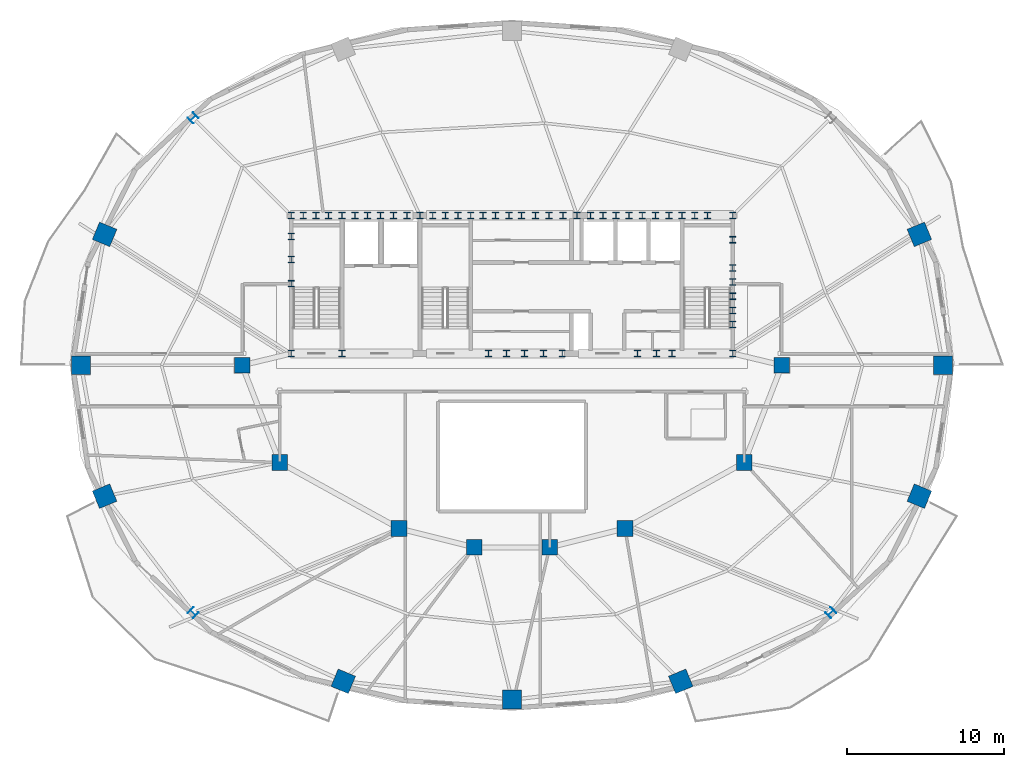
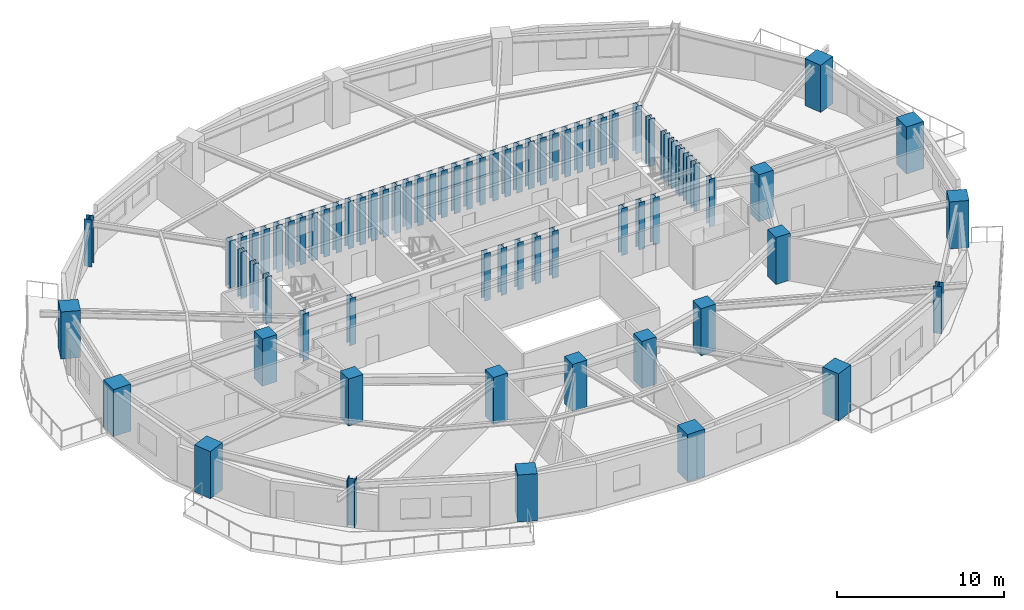
# One storey, part 1 of 11: 74 columns.
"""IFC4 building model written with IfcOpenShell, lengths in metres."""

import ifcopenshell
import ifcopenshell.guid

model = None  # the IFC model being written
_history = None  # IfcOwnerHistory: only IFC2X3 demands one
_inside = {}  # id of a spatial element -> (the spatial element, [elements in it])
_under = {}  # id of a project, library or spatial element -> (it, [spatial elements below it])
_declared = {}  # id of a project -> (the project, [libraries it declares])
_typed = {}  # id of a type object -> (the type object, [elements of that type])
_made_of = {}  # id of a material, layer set ... -> (it, [elements and type objects made of it])


def new_model(schema):
    """Start an empty IFC model of exactly this schema.

    Asked for "IFC4X3", IfcOpenShell would pick the latest addendum, in which some entities
    have other attributes; the version numbers below select the first issue.
    IFC2X3 requires an IfcOwnerHistory on every rooted entity: one is made here for all.
    """
    global model, _history
    if schema == "IFC4X3":
        model = ifcopenshell.file(schema_version=(4, 3, 0, 0))
    else:
        model = ifcopenshell.file(schema=schema)
    _inside.clear()
    _under.clear()
    _declared.clear()
    _typed.clear()
    _made_of.clear()
    _history = None
    if model.schema == "IFC2X3":
        org = make("IfcOrganization", Name="unknown")
        user = make(
            "IfcPersonAndOrganization",
            ThePerson=make("IfcPerson", FamilyName="unknown"),
            TheOrganization=org,
        )
        app = make(
            "IfcApplication",
            ApplicationDeveloper=org,
            Version="unknown",
            ApplicationFullName="unknown",
            ApplicationIdentifier="unknown",
        )
        _history = make(
            "IfcOwnerHistory",
            OwningUser=user,
            OwningApplication=app,
            ChangeAction="ADDED",
            CreationDate=0,
        )
    return model


def make(cls, **values):
    """One entity of the class cls with the attributes given. An attribute that is None is left unset."""
    return model.create_entity(
        cls, **{name: value for name, value in values.items() if value is not None}
    )


def rooted(cls, **values):
    """An entity with a GlobalId (a new one), such as an element, a storey or a relation."""
    return make(cls, GlobalId=ifcopenshell.guid.new(), OwnerHistory=_history, **values)


def si_unit(unit_type, name, prefix=None):
    """IfcSIUnit, for example si_unit("LENGTHUNIT", "METRE", prefix="MILLI")."""
    return make("IfcSIUnit", UnitType=unit_type, Prefix=prefix, Name=name)


def assignment(units):
    """IfcUnitAssignment: the units of a project."""
    return None if units is None else make("IfcUnitAssignment", Units=units)


def point(xyz):
    """IfcCartesianPoint."""
    return None if xyz is None else make("IfcCartesianPoint", Coordinates=xyz)


def direction(xyz):
    """IfcDirection."""
    return None if xyz is None else make("IfcDirection", DirectionRatios=xyz)


def frame(location, z_axis=None, x_axis=None):
    """IfcAxis2Placement3D, a coordinate frame: its origin and axes. An axis left out is left unset."""
    return make(
        "IfcAxis2Placement3D",
        Location=point(location),
        Axis=direction(z_axis),
        RefDirection=direction(x_axis),
    )


def frame_2d(location, x_axis=None):
    """IfcAxis2Placement2D, a coordinate frame in the plane: its origin and x axis."""
    return make(
        "IfcAxis2Placement2D", Location=point(location), RefDirection=direction(x_axis)
    )


def origin():
    """The frame at (0, 0, 0) with its axes left unset."""
    return frame((0.0, 0.0, 0.0))


def origin_2d():
    """The frame at (0, 0) in the plane with its x axis left unset."""
    return frame_2d((0.0, 0.0))


def place(relative_to, where):
    """IfcLocalPlacement: puts the frame where relative to a parent placement (None: the world)."""
    return make(
        "IfcLocalPlacement", PlacementRelTo=relative_to, RelativePlacement=where
    )


def context(
    kind, dimensions, precision=None, world=None, true_north=None, identifier=None
):
    """IfcGeometricRepresentationContext, for example the 3D "Model" context."""
    return make(
        "IfcGeometricRepresentationContext",
        ContextIdentifier=identifier,
        ContextType=kind,
        CoordinateSpaceDimension=dimensions,
        Precision=precision,
        WorldCoordinateSystem=world,
        TrueNorth=true_north,
    )


def subcontext(parent, identifier, kind, view, scale=None):
    """IfcGeometricRepresentationSubContext, for example "Body" below "Model"."""
    return make(
        "IfcGeometricRepresentationSubContext",
        ContextIdentifier=identifier,
        ContextType=kind,
        ParentContext=parent,
        TargetScale=scale,
        TargetView=view,
    )


def project(units=None, contexts=None):
    """IfcProject with its units and contexts."""
    return rooted(
        "IfcProject",
        Name="project",
        RepresentationContexts=contexts,
        UnitsInContext=assignment(units),
    )


def spatial(cls, under=None, at=None, **own):
    """A site, building, storey or space (cls), placed at a placement, below another one or the project."""
    s = rooted(cls, ObjectPlacement=at, **own)
    if under is not None:
        _under.setdefault(under.id(), (under, []))[1].append(s)
    return s


def profile(cls, at=None, kind="AREA", **sizes):
    """A parametric profile (cls). Its sizes go by their IFC names, for example OverallWidth=200.0."""
    return make(cls, ProfileType=kind, Position=at, **sizes)


def rectangle(**sizes):
    """IfcRectangleProfileDef."""
    return profile("IfcRectangleProfileDef", **sizes)


def i_section(**sizes):
    """IfcIShapeProfileDef."""
    return profile("IfcIShapeProfileDef", **sizes)


def extrude(swept, where, along, depth):
    """IfcExtrudedAreaSolid: the profile swept, set in the frame where, extruded along a direction by depth."""
    return make(
        "IfcExtrudedAreaSolid",
        SweptArea=swept,
        Position=where,
        ExtrudedDirection=direction(along),
        Depth=depth,
    )


def shape(context_of_items, identifier, shape_type, items):
    """IfcShapeRepresentation: the items that make up one representation, for example the "Body"."""
    return make(
        "IfcShapeRepresentation",
        ContextOfItems=context_of_items,
        RepresentationIdentifier=identifier,
        RepresentationType=shape_type,
        Items=items,
    )


def material(Name=None, Category=None):
    """IfcMaterial."""
    return make("IfcMaterial", Name=Name, Category=Category)


def material_profile(
    of_material, cross_section, Name=None, Category=None, Priority=None
):
    """IfcMaterialProfile: a cross section and its material."""
    return make(
        "IfcMaterialProfile",
        Name=Name,
        Material=of_material,
        Profile=cross_section,
        Priority=Priority,
        Category=Category,
    )


def profile_set(profiles, Name=None, composite=None):
    """IfcMaterialProfileSet."""
    return make(
        "IfcMaterialProfileSet",
        Name=Name,
        MaterialProfiles=profiles,
        CompositeProfile=composite,
    )


def made_of(thing, what):
    """Note that an element or type object is made of a material, layer set ...; save() writes the relation."""
    if what is not None:
        _made_of.setdefault(what.id(), (what, []))[1].append(thing)
    return thing


def type_object(cls, material=None, **own):
    """A type object (cls), such as IfcWallType, which elements share."""
    return made_of(rooted(cls, **own), material)


def element(
    cls,
    number,
    at=None,
    inside=None,
    cuts=None,
    type_object=None,
    material=None,
    context=None,
    identifier="Body",
    shape_type=None,
    held_by="IfcProductDefinitionShape",
    body=None,
    shapes=None,
    **own,
):
    """One element of the class cls, such as IfcWall. Its Tag is "e" and its number.

    at: its placement. inside: the storey or other place that contains it. cuts: it is an
    opening in that element (IfcRelVoidsElement). A single representation is given by context,
    identifier, shape_type and body (its items); several are given by shapes. held_by: the class
    of the entity that holds the representations. save() writes the other relations.
    """
    e = rooted(cls, Tag="e%d" % number, ObjectPlacement=at, **own)
    if body is not None:
        shapes = [shape(context, identifier, shape_type, body)]
    if shapes is not None:
        e.Representation = make(held_by, Representations=shapes)
    if inside is not None:
        _inside.setdefault(inside.id(), (inside, []))[1].append(e)
    if cuts is not None:
        rooted(
            "IfcRelVoidsElement", RelatingBuildingElement=cuts, RelatedOpeningElement=e
        )
    if type_object is not None:
        _typed.setdefault(type_object.id(), (type_object, []))[1].append(e)
    return made_of(e, material)


def aggregate(whole, parts):
    """IfcRelAggregates: a whole, such as a stair, and the parts it consists of."""
    return rooted("IfcRelAggregates", RelatingObject=whole, RelatedObjects=parts)


def save(model, path):
    """Write the relations noted so far, then the file.

    IfcRelAggregates (storeys below a building ...), IfcRelContainedInSpatialStructure (elements
    in a storey), IfcRelDefinesByType, IfcRelAssociatesMaterial and IfcRelDeclares: one each for
    every whole, place, type object, material and project.
    """
    for whole, parts in _under.values():
        aggregate(whole, parts)
    for where, things in _inside.values():
        rooted(
            "IfcRelContainedInSpatialStructure",
            RelatedElements=things,
            RelatingStructure=where,
        )
    for kind, things in _typed.values():
        rooted("IfcRelDefinesByType", RelatedObjects=things, RelatingType=kind)
    for what, things in _made_of.values():
        rooted("IfcRelAssociatesMaterial", RelatedObjects=things, RelatingMaterial=what)
    for by, libraries in _declared.values():
        rooted("IfcRelDeclares", RelatingContext=by, RelatedDefinitions=libraries)
    model.write(path)


model = new_model("IFC4")

# Units and contexts
model_context = context("Model", 3, precision=1e-05, world=origin(), true_north=direction((0.0, 1.0)))
body_context = subcontext(model_context, "Body", "Model", "MODEL_VIEW")
ifc_project = project(units=[si_unit("LENGTHUNIT", "METRE"), si_unit("AREAUNIT", "SQUARE_METRE"), si_unit("VOLUMEUNIT", "CUBIC_METRE"), si_unit("PLANEANGLEUNIT", "RADIAN"), si_unit("MASSUNIT", "GRAM", prefix="KILO")], contexts=[model_context])

# Site, building, storey
site_placement = place(None, origin())
site = spatial("IfcSite", under=ifc_project, at=site_placement, CompositionType="ELEMENT")
building_placement = place(site_placement, origin())
building = spatial("IfcBuilding", under=site, at=building_placement, Name="Haldorwick Loom Tower", CompositionType="ELEMENT")
storey_placement = place(building_placement, frame((0.0, 0.0, 211.75)))
storey = spatial("IfcBuildingStorey", under=building, at=storey_placement, Name="L57", CompositionType="ELEMENT", Elevation=211.75)

# Columns
ifc_material_1 = material(Name="Concrete C60 (60 MPa)", Category="concrete")
ifc_material_profile_1 = material_profile(ifc_material_1, rectangle(XDim=1.0, YDim=1.0, at=origin_2d()), Name="RC1000X1000", Category="concrete")
ifc_profile_set_1 = profile_set([ifc_material_profile_1], Name="Concrete C60 (60 MPa)")
column_type_1 = type_object("IfcColumnType", Name="STR-COL-RC1000", PredefinedType="COLUMN", material=ifc_profile_set_1)
for number, where, z_axis, x_axis, name in (
    (1, (53.199951171875, 26.0, 0.0), (0.0, 0.0, 1.0), (1.0, 0.0, 0.0), "L57 Inner Column IC-01"),
    (2, (50.800048828125, 19.800048828125, 0.0), (0.0, 0.0, 1.0), (1.0, 0.0, 0.0), "L57 Inner Column IC-02"),
    (3, (43.199951171875, 15.60009765625, 0.0), (0.0, 0.0, 1.0), (1.0, 0.0, 0.0), "L57 Inner Column IC-03"),
    (4, (38.39990234375, 14.39990234375, 0.0), (0.0, 0.0, 1.0), (1.0, 0.0, 0.0), "L57 Inner Column IC-04"),
    (5, (33.60009765625, 14.39990234375, 0.0), (0.0, 0.0, 1.0), (1.0, 0.0, 0.0), "L57 Inner Column IC-05"),
    (6, (28.800048828125, 15.60009765625, 0.0), (0.0, 0.0, 1.0), (1.0, 0.0, 0.0), "L57 Inner Column IC-06"),
    (7, (21.199951171875, 19.800048828125, 0.0), (0.0, 0.0, 1.0), (1.0, 0.0, 0.0), "L57 Inner Column IC-07"),
    (8, (18.800048828125, 26.0, 0.0), (0.0, 0.0, 1.0), (1.0, 0.0, 0.0), "L57 Inner Column IC-08"),
):
    element("IfcColumn", number, at=place(storey_placement, frame(where, z_axis=z_axis, x_axis=x_axis)), inside=storey, type_object=column_type_1, Name=name, PredefinedType="COLUMN", context=body_context, shape_type="SweptSolid", body=[
        extrude(rectangle(XDim=1.0, YDim=1.0, at=origin_2d()), origin(), (0.0, 0.0, 1.0), 3.449951171875),
    ])
ifc_material_profile_2 = material_profile(ifc_material_1, rectangle(XDim=1.199951171875, YDim=1.199951171875, at=origin_2d()), Name="RC1200X1200", Category="concrete")
ifc_profile_set_2 = profile_set([ifc_material_profile_2], Name="Concrete C60 (60 MPa)")
column_type_2 = type_object("IfcColumnType", Name="STR-COL-RC1200", PredefinedType="COLUMN", material=ifc_profile_set_2)
for number, where, z_axis, x_axis, name in (
    (9, (63.46630859375, 26.0, 0.0), (0.0, 0.0, 1.0), (1.0, 0.0, 0.0), "L57 Perimeter Pier Column P01"),
    (10, (61.9609375, 34.342529296875, 0.0), (0.0, 0.0, 1.0), (0.923879532511, 0.382683432365, 0.0), "L57 Perimeter Pier Column P02"),
    (11, (10.0390625, 34.342529296875, 0.0), (0.0, 0.0, 1.0), (-0.923879532511, 0.382683432365, 0.0), "L57 Perimeter Pier Column P08"),
    (12, (8.53369140625, 26.0, 0.0), (0.0, 0.0, 1.0), (-1.0, 0.0, 0.0), "L57 Perimeter Pier Column P09"),
    (13, (10.0390625, 17.657470703125, 0.0), (0.0, 0.0, 1.0), (-0.923879532511, -0.382683432365, 0.0), "L57 Perimeter Pier Column P10"),
    (14, (25.24658203125, 5.859375, 0.0), (0.0, 0.0, 1.0), (-0.382683432365, -0.923879532511, 0.0), "L57 Perimeter Pier Column P12"),
    (15, (36.0, 4.695068359375, 0.0), (0.0, 0.0, 1.0), (0.0, -1.0, 0.0), "L57 Perimeter Pier Column P13"),
    (16, (46.75341796875, 5.859375, 0.0), (0.0, 0.0, 1.0), (0.382683432365, -0.923879532511, 0.0), "L57 Perimeter Pier Column P14"),
    (17, (61.9609375, 17.657470703125, 0.0), (0.0, 0.0, 1.0), (0.923879532511, -0.382683432365, 0.0), "L57 Perimeter Pier Column P16"),
):
    element("IfcColumn", number, at=place(storey_placement, frame(where, z_axis=z_axis, x_axis=x_axis)), inside=storey, type_object=column_type_2, Name=name, PredefinedType="COLUMN", context=body_context, shape_type="SweptSolid", body=[
        extrude(rectangle(XDim=1.199951171875, YDim=1.199951171875, at=origin_2d()), origin(), (0.0, 0.0, 1.0), 3.449951171875),
    ])
ifc_material_2 = material(Name="Steel CSA G40.21 350W", Category="steel")
ifc_material_profile_3 = material_profile(ifc_material_2, i_section(OverallWidth=0.406005859375, OverallDepth=0.416015625, WebThickness=0.024169921875, FlangeThickness=0.03857421875, at=origin_2d()), Name="W360X382", Category="steel")
ifc_profile_set_3 = profile_set([ifc_material_profile_3], Name="Steel CSA G40.21 350W")
column_type_3 = type_object("IfcColumnType", Name="STR-COL-W360X382", PredefinedType="COLUMN", material=ifc_profile_set_3)
for number, where, z_axis, x_axis, name in (
    (18, (21.929931640625, 35.550048828125, 0.0), (0.0, 0.0, 1.0), (1.0, 0.0, 0.0), "L57 Core Pilaster CB-01"),
    (19, (23.5, 35.550048828125, 0.0), (0.0, 0.0, 1.0), (1.0, 0.0, 0.0), "L57 Core Pilaster CB-02"),
    (20, (25.169921875, 35.550048828125, 0.0), (0.0, 0.0, 1.0), (1.0, 0.0, 0.0), "L57 Core Pilaster CB-03"),
    (21, (26.800048828125, 35.550048828125, 0.0), (0.0, 0.0, 1.0), (1.0, 0.0, 0.0), "L57 Core Pilaster CB-04"),
    (22, (28.449951171875, 35.550048828125, 0.0), (0.0, 0.0, 1.0), (1.0, 0.0, 0.0), "L57 Core Pilaster CB-05"),
    (23, (30.1298828125, 35.550048828125, 0.0), (0.0, 0.0, 1.0), (1.0, 0.0, 0.0), "L57 Core Pilaster CB-06"),
    (24, (31.75, 35.550048828125, 0.0), (0.0, 0.0, 1.0), (1.0, 0.0, 0.0), "L57 Core Pilaster CB-07"),
    (25, (33.3701171875, 35.550048828125, 0.0), (0.0, 0.0, 1.0), (1.0, 0.0, 0.0), "L57 Core Pilaster CB-08"),
    (26, (34.949951171875, 35.550048828125, 0.0), (0.0, 0.0, 1.0), (1.0, 0.0, 0.0), "L57 Core Pilaster CB-09"),
    (27, (36.60009765625, 35.550048828125, 0.0), (0.0, 0.0, 1.0), (1.0, 0.0, 0.0), "L57 Core Pilaster CB-10"),
    (28, (38.35009765625, 35.550048828125, 0.0), (0.0, 0.0, 1.0), (1.0, 0.0, 0.0), "L57 Core Pilaster CB-11"),
    (29, (40.14990234375, 35.550048828125, 0.0), (0.0, 0.0, 1.0), (1.0, 0.0, 0.0), "L57 Core Pilaster CB-12"),
    (30, (41.800048828125, 35.550048828125, 0.0), (0.0, 0.0, 1.0), (1.0, 0.0, 0.0), "L57 Core Pilaster CB-13"),
    (31, (43.449951171875, 35.550048828125, 0.0), (0.0, 0.0, 1.0), (1.0, 0.0, 0.0), "L57 Core Pilaster CB-14"),
    (32, (45.14990234375, 35.550048828125, 0.0), (0.0, 0.0, 1.0), (1.0, 0.0, 0.0), "L57 Core Pilaster CB-15"),
    (33, (46.830078125, 35.550048828125, 0.0), (0.0, 0.0, 1.0), (1.0, 0.0, 0.0), "L57 Core Pilaster CB-16"),
    (34, (48.449951171875, 35.550048828125, 0.0), (0.0, 0.0, 1.0), (1.0, 0.0, 0.0), "L57 Core Pilaster CB-17"),
    (35, (50.070068359375, 35.550048828125, 0.0), (0.0, 0.0, 1.0), (1.0, 0.0, 0.0), "L57 Core Pilaster CB-18"),
    (36, (21.929931640625, 26.75, 0.0), (0.0, 0.0, 1.0), (1.0, 0.0, 0.0), "L57 Core Pilaster CB-19"),
    (37, (25.169921875, 26.75, 0.0), (0.0, 0.0, 1.0), (1.0, 0.0, 0.0), "L57 Core Pilaster CB-20"),
    (38, (34.5, 26.75, 0.0), (0.0, 0.0, 1.0), (1.0, 0.0, 0.0), "L57 Core Pilaster CB-21"),
    (39, (36.800048828125, 26.75, 0.0), (0.0, 0.0, 1.0), (1.0, 0.0, 0.0), "L57 Core Pilaster CB-22"),
    (40, (39.199951171875, 26.75, 0.0), (0.0, 0.0, 1.0), (1.0, 0.0, 0.0), "L57 Core Pilaster CB-23"),
    (41, (45.199951171875, 26.75, 0.0), (0.0, 0.0, 1.0), (1.0, 0.0, 0.0), "L57 Core Pilaster CB-24"),
    (42, (50.070068359375, 26.75, 0.0), (0.0, 0.0, 1.0), (1.0, 0.0, 0.0), "L57 Core Pilaster CB-25"),
    (43, (21.929931640625, 31.199951171875, 0.0), (0.0, 0.0, 1.0), (1.0, 0.0, 0.0), "L57 Core Pilaster CB-26"),
    (44, (21.929931640625, 32.75, 0.0), (0.0, 0.0, 1.0), (1.0, 0.0, 0.0), "L57 Core Pilaster CB-27"),
    (45, (21.929931640625, 34.199951171875, 0.0), (0.0, 0.0, 1.0), (1.0, 0.0, 0.0), "L57 Core Pilaster CB-28"),
    (46, (50.070068359375, 28.60009765625, 0.0), (0.0, 0.0, 1.0), (1.0, 0.0, 0.0), "L57 Core Pilaster CB-29"),
    (47, (50.070068359375, 30.39990234375, 0.0), (0.0, 0.0, 1.0), (1.0, 0.0, 0.0), "L57 Core Pilaster CB-30"),
    (48, (50.070068359375, 32.199951171875, 0.0), (0.0, 0.0, 1.0), (1.0, 0.0, 0.0), "L57 Core Pilaster CB-31"),
    (49, (50.070068359375, 34.0, 0.0), (0.0, 0.0, 1.0), (1.0, 0.0, 0.0), "L57 Core Pilaster CB-32"),
    (50, (22.699951171875, 35.550048828125, 0.0), (0.0, 0.0, 1.0), (1.0, 0.0, 0.0), "L57 Core Pilaster CB-33"),
    (51, (27.6201171875, 35.550048828125, 0.0), (0.0, 0.0, 1.0), (1.0, 0.0, 0.0), "L57 Core Pilaster CB-34"),
    (52, (32.550048828125, 35.550048828125, 0.0), (0.0, 0.0, 1.0), (1.0, 0.0, 0.0), "L57 Core Pilaster CB-35"),
    (53, (37.5, 35.550048828125, 0.0), (0.0, 0.0, 1.0), (1.0, 0.0, 0.0), "L57 Core Pilaster CB-36"),
    (54, (42.6201171875, 35.550048828125, 0.0), (0.0, 0.0, 1.0), (1.0, 0.0, 0.0), "L57 Core Pilaster CB-37"),
    (55, (47.64990234375, 35.550048828125, 0.0), (0.0, 0.0, 1.0), (1.0, 0.0, 0.0), "L57 Core Pilaster CB-38"),
    (56, (24.300048828125, 35.550048828125, 0.0), (0.0, 0.0, 1.0), (1.0, 0.0, 0.0), "L57 Core Pilaster CB-39"),
    (57, (26.0, 35.550048828125, 0.0), (0.0, 0.0, 1.0), (1.0, 0.0, 0.0), "L57 Core Pilaster CB-40"),
    (58, (29.300048828125, 35.550048828125, 0.0), (0.0, 0.0, 1.0), (1.0, 0.0, 0.0), "L57 Core Pilaster CB-41"),
    (59, (30.949951171875, 35.550048828125, 0.0), (0.0, 0.0, 1.0), (1.0, 0.0, 0.0), "L57 Core Pilaster CB-42"),
    (60, (34.14990234375, 35.550048828125, 0.0), (0.0, 0.0, 1.0), (1.0, 0.0, 0.0), "L57 Core Pilaster CB-43"),
    (61, (35.800048828125, 35.550048828125, 0.0), (0.0, 0.0, 1.0), (1.0, 0.0, 0.0), "L57 Core Pilaster CB-44"),
    (62, (39.25, 35.550048828125, 0.0), (0.0, 0.0, 1.0), (1.0, 0.0, 0.0), "L57 Core Pilaster CB-45"),
    (63, (41.0, 35.550048828125, 0.0), (0.0, 0.0, 1.0), (1.0, 0.0, 0.0), "L57 Core Pilaster CB-46"),
    (64, (44.300048828125, 35.550048828125, 0.0), (0.0, 0.0, 1.0), (1.0, 0.0, 0.0), "L57 Core Pilaster CB-47"),
    (65, (46.0, 35.550048828125, 0.0), (0.0, 0.0, 1.0), (1.0, 0.0, 0.0), "L57 Core Pilaster CB-48"),
    (66, (50.070068359375, 29.5, 0.0), (0.0, 0.0, 1.0), (1.0, 0.0, 0.0), "L57 Core Pilaster CB-49"),
    (67, (50.070068359375, 31.300048828125, 0.0), (0.0, 0.0, 1.0), (1.0, 0.0, 0.0), "L57 Core Pilaster CB-50"),
    (68, (35.64990234375, 26.75, 0.0), (0.0, 0.0, 1.0), (1.0, 0.0, 0.0), "L57 Core Pilaster CB-51"),
    (69, (38.0, 26.75, 0.0), (0.0, 0.0, 1.0), (1.0, 0.0, 0.0), "L57 Core Pilaster CB-52"),
    (70, (44.0, 26.75, 0.0), (0.0, 0.0, 1.0), (1.0, 0.0, 0.0), "L57 Core Pilaster CB-53"),
    (71, (46.199951171875, 26.75, 0.0), (0.0, 0.0, 1.0), (1.0, 0.0, 0.0), "L57 Core Pilaster CB-54"),
):
    element("IfcColumn", number, at=place(storey_placement, frame(where, z_axis=z_axis, x_axis=x_axis)), inside=storey, type_object=column_type_3, Name=name, PredefinedType="COLUMN", context=body_context, shape_type="SweptSolid", body=[
        extrude(i_section(OverallWidth=0.406005859375, OverallDepth=0.416015625, WebThickness=0.024169921875, FlangeThickness=0.03857421875, at=origin_2d()), origin(), (0.0, 0.0, 1.0), 3.449951171875),
    ])
ifc_material_3 = material(Name="Steel CSA G40.21 350WT", Category="steel")
ifc_material_profile_4 = material_profile(ifc_material_3, i_section(OverallWidth=0.5, OverallDepth=0.5, WebThickness=0.02197265625, FlangeThickness=0.031982421875, at=origin_2d()), Name="WWF500X500", Category="steel")
ifc_profile_set_4 = profile_set([ifc_material_profile_4], Name="Steel CSA G40.21 350WT")
column_type_4 = type_object("IfcColumnType", Name="STR-COL-WWF500", PredefinedType="COLUMN", material=ifc_profile_set_4)
for number, where, z_axis, x_axis, name in (
    (72, (15.682373046875, 41.764892578125, 0.0), (0.0, 0.0, 1.0), (-0.707106781187, 0.707106781187, 0.0), "L57 Perimeter Pier Column P07"),
    (73, (15.682373046875, 10.235107421875, 0.0), (0.0, 0.0, 1.0), (-0.707106781187, -0.707106781187, 0.0), "L57 Perimeter Pier Column P11"),
    (74, (56.317626953125, 10.235107421875, 0.0), (0.0, 0.0, 1.0), (0.707106781187, -0.707106781187, 0.0), "L57 Perimeter Pier Column P15"),
):
    element("IfcColumn", number, at=place(storey_placement, frame(where, z_axis=z_axis, x_axis=x_axis)), inside=storey, type_object=column_type_4, Name=name, PredefinedType="COLUMN", context=body_context, shape_type="SweptSolid", body=[
        extrude(i_section(OverallWidth=0.5, OverallDepth=0.5, WebThickness=0.02197265625, FlangeThickness=0.031982421875, at=origin_2d()), origin(), (0.0, 0.0, 1.0), 3.449951171875),
    ])

save(model, "model.ifc")
